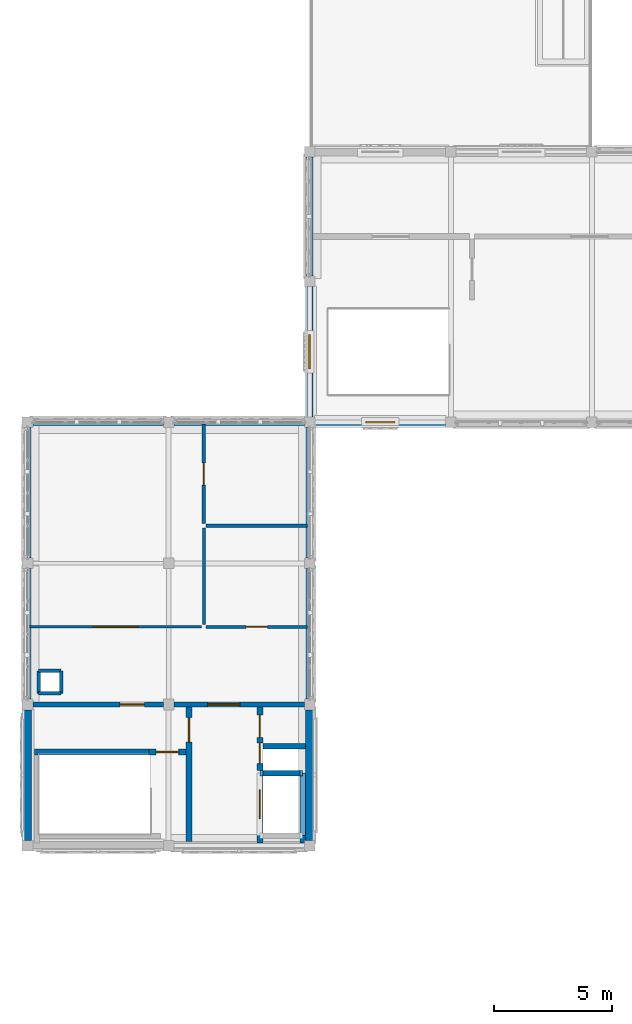
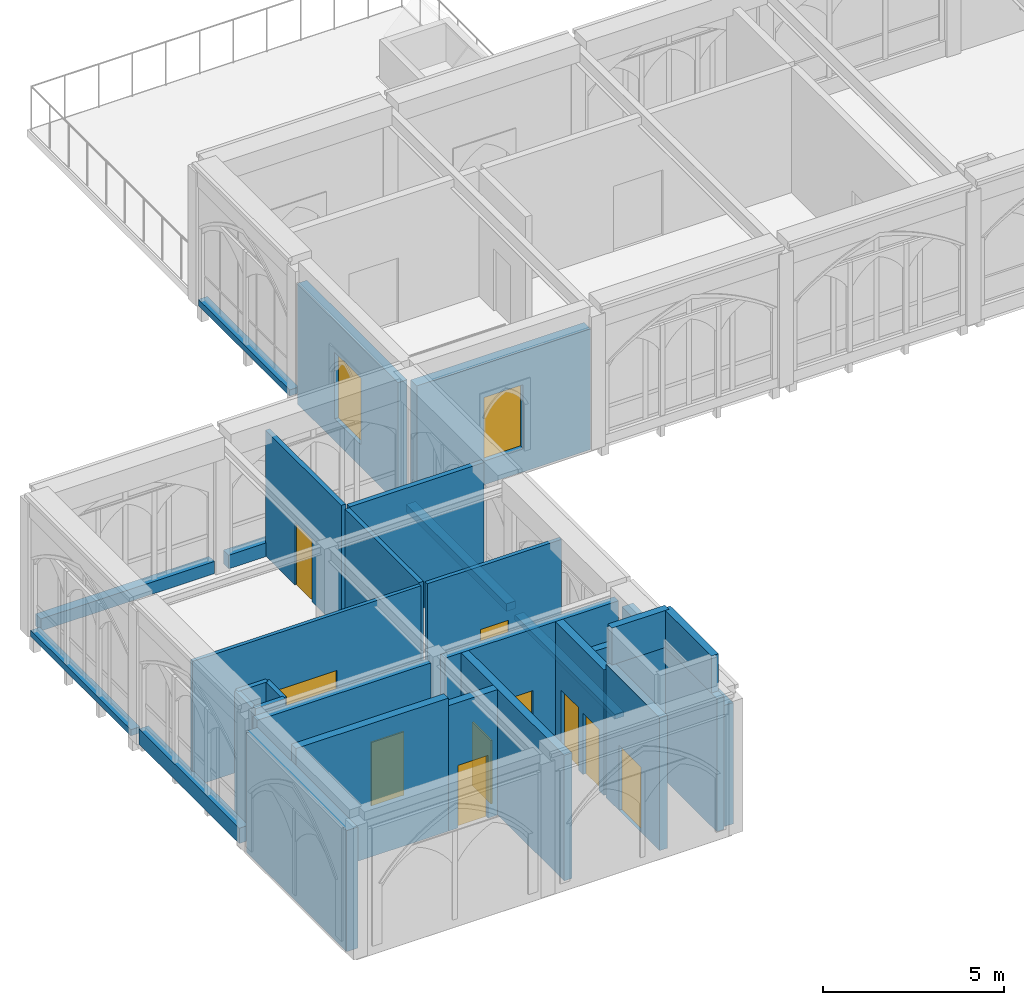
# One storey, part 40 of 59: 32 walls, 10 doors, 2 windows, 12 openings.
"""IFC4 building model written with IfcOpenShell, lengths in metres."""

from ifc_helpers import new_model, si_unit, direction, frame, frame_2d, origin, place, context, subcontext, project, spatial, rectangle, extrude, material, layer, layer_set, type_object, element, fill, save


model = new_model("IFC4")

# Units and contexts
model_context = context("Model", 3, precision=1e-05, world=origin(), true_north=direction((0.0, 1.0)))
body_context = subcontext(model_context, "Body", "Model", "MODEL_VIEW")
ifc_project = project(units=[si_unit("LENGTHUNIT", "METRE"), si_unit("AREAUNIT", "SQUARE_METRE"), si_unit("VOLUMEUNIT", "CUBIC_METRE"), si_unit("PLANEANGLEUNIT", "RADIAN"), si_unit("MASSUNIT", "GRAM", prefix="KILO")], contexts=[model_context])

# Site, building, storey
site_placement = place(None, origin())
site = spatial("IfcSite", under=ifc_project, at=site_placement, CompositionType="ELEMENT")
building_placement = place(site_placement, origin())
building = spatial("IfcBuilding", under=site, at=building_placement, Name="Cumevento Cable Car Station", CompositionType="ELEMENT")
storey_placement = place(building_placement, frame((0.0, 0.0, 18.0)))
storey = spatial("IfcBuildingStorey", under=building, at=storey_placement, Name="L05", CompositionType="ELEMENT", Elevation=18.0)

# Walls
ifc_material_1 = material(Name="Gnaisse Facoidal Stone Ashlar 85 MPa", Category="masonry")
ifc_layer_1 = layer(ifc_material_1, 0.294921875)
ifc_layer_set_1 = layer_set([ifc_layer_1], Name="Gnaisse Facoidal Stone Ashlar 85 MPa")
wall_type_1 = type_object("IfcWallType", Name="Exterior Envelope Wall EW-295 295", PredefinedType="SOLIDWALL", material=ifc_layer_set_1)
wall_1_placement = place(storey_placement, frame((10.22509765625, 45.0, 0.0), z_axis=(0.0, 0.0, 1.0), x_axis=(1.0, 0.0, 0.0)))
element("IfcWall", 1, at=wall_1_placement, inside=storey, type_object=wall_type_1, Name="Exterior Sill Curb Wall EW-295 L05 #389", PredefinedType="SOLIDWALL", context=body_context, shape_type="SweptSolid", body=[
    extrude(rectangle(XDim=5.5498046875, YDim=0.294921875, at=frame_2d((2.77490234375, 0.0))), origin(), (0.0, 0.0, 1.0), 0.409912109375),
])
wall_2_placement = place(storey_placement, frame((16.22509765625, 45.0, 0.0), z_axis=(0.0, 0.0, 1.0), x_axis=(1.0, 0.0, 0.0)))
element("IfcWall", 2, at=wall_2_placement, inside=storey, type_object=wall_type_1, Name="Exterior Sill Curb Wall EW-295 L05 #390", PredefinedType="SOLIDWALL", context=body_context, shape_type="SweptSolid", body=[
    extrude(rectangle(XDim=5.5498046875, YDim=0.294921875, at=frame_2d((2.77490234375, 0.0))), origin(), (0.0, 0.0, 1.0), 0.4599609375),
])
wall_3_placement = place(storey_placement, frame((10.0, 33.22509765625, 0.0), z_axis=(0.0, 0.0, 1.0), x_axis=(0.0, 1.0, 0.0)))
element("IfcWall", 3, at=wall_3_placement, inside=storey, type_object=wall_type_1, Name="Exterior Sill Curb Wall EW-295 L05 #391", PredefinedType="SOLIDWALL", context=body_context, shape_type="SweptSolid", body=[
    extrude(rectangle(XDim=5.5498046875, YDim=0.294921875, at=frame_2d((2.77490234375, 0.0))), origin(), (0.0, 0.0, 1.0), 0.52001953125),
])
wall_4_placement = place(storey_placement, frame((22.0, 38.77490234375, 0.0), z_axis=(0.0, 0.0, 1.0), x_axis=(0.0, -1.0, 0.0)))
element("IfcWall", 4, at=wall_4_placement, inside=storey, type_object=wall_type_1, Name="Exterior Sill Curb Wall EW-295 L05 #392", PredefinedType="SOLIDWALL", context=body_context, shape_type="SweptSolid", body=[
    extrude(rectangle(XDim=5.5498046875, YDim=0.294921875, at=frame_2d((2.77490234375, 0.0))), origin(), (0.0, 0.0, 1.0), 0.159912109375),
])
wall_5_placement = place(storey_placement, frame((10.0, 39.22509765625, 0.0), z_axis=(0.0, 0.0, 1.0), x_axis=(0.0, 1.0, 0.0)))
element("IfcWall", 5, at=wall_5_placement, inside=storey, type_object=wall_type_1, Name="Exterior Sill Curb Wall EW-295 L05 #393", PredefinedType="SOLIDWALL", context=body_context, shape_type="SweptSolid", body=[
    extrude(rectangle(XDim=5.5498046875, YDim=0.294921875, at=frame_2d((2.77490234375, 0.0))), origin(), (0.0, 0.0, 1.0), 0.2099609375),
])
wall_6_placement = place(storey_placement, frame((22.0, 44.77490234375, 0.0), z_axis=(0.0, 0.0, 1.0), x_axis=(0.0, -1.0, 0.0)))
element("IfcWall", 6, at=wall_6_placement, inside=storey, type_object=wall_type_1, Name="Exterior Sill Curb Wall EW-295 L05 #394", PredefinedType="SOLIDWALL", context=body_context, shape_type="SweptSolid", body=[
    extrude(rectangle(XDim=5.5498046875, YDim=0.294921875, at=frame_2d((2.77490234375, 0.0))), origin(), (0.0, 0.0, 1.0), 0.260009765625),
])

# Wall, opening, window
wall_7_placement = place(storey_placement, frame((22.0, 45.22509765625, 0.0), z_axis=(0.0, 0.0, 1.0), x_axis=(0.0, 1.0, 0.0)))
wall_7 = element("IfcWall", 7, at=wall_7_placement, inside=storey, type_object=wall_type_1, Name="Exterior Wall EW-295 L05 #405", PredefinedType="SOLIDWALL", context=body_context, shape_type="SweptSolid", body=[
    extrude(rectangle(XDim=5.5498046875, YDim=0.294921875, at=frame_2d((2.77490234375, 0.0))), origin(), (0.0, 0.0, 1.0), 4.093017578125),
])
opening_1_placement = place(wall_7_placement, frame((2.050048828125, 0.0, 0.75)))
opening_1 = element("IfcOpeningElement", 8, at=opening_1_placement, cuts=wall_7, Name="Opening WN-L05-103", PredefinedType="OPENING", context=body_context, shape_type="SweptSolid", body=[
    extrude(rectangle(XDim=1.449951171875, YDim=2.25, at=frame_2d((0.72509765625, 1.125))), frame((0.0, 0.157470703125, 0.0), z_axis=(0.0, -1.0, 0.0), x_axis=(1.0, 0.0, 0.0)), (0.0, 0.0, 1.0), 0.31494140625),
])
ifc_material_2 = material(Name="Anodised Bronze Aluminium & Laminated Solar Glass", Category="aluminium")
window_type_1 = type_object("IfcWindowType", Name="Lancet Window WN-07 1450x2250", PartitioningType="SINGLE_PANEL", PredefinedType="WINDOW", material=ifc_material_2)
window_1_placement = place(opening_1_placement, origin())
window_1 = element("IfcWindow", 9, at=window_1_placement, inside=storey, type_object=window_type_1, Name="Lancet Window WN-L05-103 (WN-07)", OverallHeight=2.25, OverallWidth=1.449951171875, PartitioningType="SINGLE_PANEL", PredefinedType="WINDOW", context=body_context, shape_type="SweptSolid", body=[
    extrude(rectangle(XDim=1.449951171875, YDim=2.25, at=frame_2d((0.72509765625, 1.125))), frame((0.0, 0.030029296875, 0.0), z_axis=(0.0, -1.0, 0.0), x_axis=(1.0, 0.0, 0.0)), (0.0, 0.0, 1.0), 0.06005859375),
])
fill(opening_1, window_1)

# Wall
wall_8_placement = place(storey_placement, frame((22.0, 51.22509765625, 0.0), z_axis=(0.0, 0.0, 1.0), x_axis=(0.0, 1.0, 0.0)))
element("IfcWall", 10, at=wall_8_placement, inside=storey, type_object=wall_type_1, Name="Exterior Sill Curb Wall EW-295 L05 #406", PredefinedType="SOLIDWALL", context=body_context, shape_type="SweptSolid", body=[
    extrude(rectangle(XDim=5.0498046875, YDim=0.294921875, at=frame_2d((2.52490234375, 0.0))), origin(), (0.0, 0.0, 1.0), 0.2099609375),
])

# Wall, opening, window
ifc_material_3 = material(Name="Concrete C40/50", Category="concrete")
ifc_layer_2 = layer(ifc_material_3, 0.340087890625)
ifc_layer_set_2 = layer_set([ifc_layer_2], Name="Concrete C40/50")
wall_type_2 = type_object("IfcWallType", Name="Exterior Envelope Wall EW-340 340", PredefinedType="SOLIDWALL", material=ifc_layer_set_2)
wall_9_placement = place(storey_placement, frame((27.77490234375, 45.0, 0.0), z_axis=(0.0, 0.0, 1.0), x_axis=(-1.0, 0.0, 0.0)))
wall_9 = element("IfcWall", 11, at=wall_9_placement, inside=storey, type_object=wall_type_2, Name="Exterior Wall EW-340 L05 #395", PredefinedType="SOLIDWALL", context=body_context, shape_type="SweptSolid", body=[
    extrude(rectangle(XDim=5.5498046875, YDim=0.340087890625, at=frame_2d((2.77490234375, 0.0))), origin(), (0.0, 0.0, 1.0), 4.093017578125),
])
opening_2_placement = place(wall_9_placement, frame((2.14990234375, 0.0, 0.800048828125)))
opening_2 = element("IfcOpeningElement", 12, at=opening_2_placement, cuts=wall_9, Name="Opening WN-L05-101", PredefinedType="OPENING", context=body_context, shape_type="SweptSolid", body=[
    extrude(rectangle(XDim=1.25, YDim=2.14990234375, at=frame_2d((0.625, 1.074951171875))), frame((0.0, 0.179931640625, 0.0), z_axis=(0.0, -1.0, 0.0), x_axis=(1.0, 0.0, 0.0)), (0.0, 0.0, 1.0), 0.360107421875),
])
ifc_material_4 = material(Name="Anodised Bronze Aluminium & Laminated Solar Glass", Category="aluminium")
window_type_2 = type_object("IfcWindowType", Name="Lancet Window WN-05 1250x2150", PartitioningType="SINGLE_PANEL", PredefinedType="WINDOW", material=ifc_material_4)
window_2_placement = place(opening_2_placement, origin())
window_2 = element("IfcWindow", 13, at=window_2_placement, inside=storey, type_object=window_type_2, Name="Lancet Window WN-L05-101 (WN-05)", OverallHeight=2.14990234375, OverallWidth=1.25, PartitioningType="SINGLE_PANEL", PredefinedType="WINDOW", context=body_context, shape_type="SweptSolid", body=[
    extrude(rectangle(XDim=1.25, YDim=2.14990234375, at=frame_2d((0.625, 1.074951171875))), frame((0.0, 0.030029296875, 0.0), z_axis=(0.0, -1.0, 0.0), x_axis=(1.0, 0.0, 0.0)), (0.0, 0.0, 1.0), 0.06005859375),
])
fill(opening_2, window_2)

# Walls
ifc_material_5 = material(Name="Concrete C40/50", Category="concrete")
ifc_layer_3 = layer(ifc_material_5, 0.35498046875)
ifc_layer_set_3 = layer_set([ifc_layer_3], Name="Concrete C40/50")
wall_type_3 = type_object("IfcWallType", Name="Exterior Envelope Wall EW-355 355", PredefinedType="SOLIDWALL", material=ifc_layer_set_3)
for number, where, z_axis, x_axis, name in (
    (14, (10.0, 27.22509765625, 0.0), (0.0, 0.0, 1.0), (0.0, 1.0, 0.0), "Exterior Wall EW-355 L05 #387"),
    (15, (22.0, 32.77490234375, 0.0), (0.0, 0.0, 1.0), (0.0, -1.0, 0.0), "Exterior Wall EW-355 L05 #388"),
):
    element("IfcWall", number, at=place(storey_placement, frame(where, z_axis=z_axis, x_axis=x_axis)), inside=storey, type_object=wall_type_3, Name=name, PredefinedType="SOLIDWALL", context=body_context, shape_type="SweptSolid", body=[
        extrude(rectangle(XDim=5.5498046875, YDim=0.35498046875, at=frame_2d((2.77490234375, 0.0))), origin(), (0.0, 0.0, 1.0), 4.093017578125),
    ])

# Wall, opening, door
ifc_material_6 = material(Name="Gypsum Board & Insulated Stud Partition", Category="gypsum")
ifc_layer_4 = layer(ifc_material_6, 0.114990234375)
ifc_layer_set_4 = layer_set([ifc_layer_4], Name="Gypsum Board & Insulated Stud Partition")
wall_type_4 = type_object("IfcWallType", Name="Interior Partition PT-115 115", PredefinedType="PARTITIONING", material=ifc_layer_set_4)
wall_10_placement = place(storey_placement, frame((10.10302734375, 36.300048828125, 0.0), z_axis=(0.0, 0.0, 1.0), x_axis=(1.0, 0.0, 0.0)))
wall_10 = element("IfcWall", 16, at=wall_10_placement, inside=storey, type_object=wall_type_4, Name="Interior Wall PT-115 L05 #734", PredefinedType="PARTITIONING", context=body_context, shape_type="SweptSolid", body=[
    extrude(rectangle(XDim=7.296875, YDim=0.114990234375, at=frame_2d((3.6484375, 0.0))), origin(), (0.0, 0.0, 1.0), 4.239990234375),
])
opening_3_placement = place(wall_10_placement, frame((2.6884765625, 0.0, 0.0)))
opening_3 = element("IfcOpeningElement", 17, at=opening_3_placement, cuts=wall_10, Name="Opening DR-L05-306", PredefinedType="OPENING", context=body_context, shape_type="SweptSolid", body=[
    extrude(rectangle(XDim=1.919921875, YDim=2.320068359375, at=frame_2d((0.9599609375, 1.16015625))), frame((0.0, 0.067626953125, 0.0), z_axis=(0.0, -1.0, 0.0), x_axis=(1.0, 0.0, 0.0)), (0.0, 0.0, 1.0), 0.135009765625),
])
ifc_material_7 = material(Name="Anodised Bronze Aluminium Glazed Door", Category="aluminium")
door_type_1 = type_object("IfcDoorType", Name="Interior Door ID-14 1920x2320", OperationType="NOTDEFINED", PredefinedType="DOOR", material=ifc_material_7)
door_1_placement = place(opening_3_placement, origin())
door_1 = element("IfcDoor", 18, at=door_1_placement, inside=storey, type_object=door_type_1, Name="Interior Door DR-L05-306 (ID-14)", OperationType="DOUBLE_DOOR_SINGLE_SWING", OverallHeight=2.320068359375, OverallWidth=1.919921875, PredefinedType="DOOR", context=body_context, shape_type="SweptSolid", body=[
    extrude(rectangle(XDim=1.919921875, YDim=2.320068359375, at=frame_2d((0.9599609375, 1.16015625))), frame((0.0, 0.02490234375, 0.0), z_axis=(0.0, -1.0, 0.0), x_axis=(1.0, 0.0, 0.0)), (0.0, 0.0, 1.0), 0.050048828125),
])
fill(opening_3, door_1)

ifc_material_8 = material(Name="Gypsum Board & Insulated Stud Partition", Category="gypsum")
ifc_layer_5 = layer(ifc_material_8, 0.125)
ifc_layer_set_5 = layer_set([ifc_layer_5], Name="Gypsum Board & Insulated Stud Partition")
wall_type_5 = type_object("IfcWallType", Name="Interior Partition PT-125 125", PredefinedType="PARTITIONING", material=ifc_layer_set_5)
wall_11_placement = place(storey_placement, frame((17.60009765625, 36.300048828125, 0.0), z_axis=(0.0, 0.0, 1.0), x_axis=(1.0, 0.0, 0.0)))
wall_11 = element("IfcWall", 19, at=wall_11_placement, inside=storey, type_object=wall_type_5, Name="Interior Wall PT-125 L05 #735", PredefinedType="PARTITIONING", context=body_context, shape_type="SweptSolid", body=[
    extrude(rectangle(XDim=4.2939453125, YDim=0.125, at=frame_2d((2.14697265625, 0.0))), origin(), (0.0, 0.0, 1.0), 4.239990234375),
])
opening_4_placement = place(wall_11_placement, frame((1.697021484375, 0.0, 0.0)))
opening_4 = element("IfcOpeningElement", 20, at=opening_4_placement, cuts=wall_11, Name="Opening DR-L05-307", PredefinedType="OPENING", context=body_context, shape_type="SweptSolid", body=[
    extrude(rectangle(XDim=0.89990234375, YDim=2.10009765625, at=frame_2d((0.449951171875, 1.050048828125))), frame((0.0, 0.072509765625, 0.0), z_axis=(0.0, -1.0, 0.0), x_axis=(1.0, 0.0, 0.0)), (0.0, 0.0, 1.0), 0.14501953125),
])
ifc_material_9 = material(Name="Hardwood Ipe Timber Door Leaf", Category="wood")
door_type_2 = type_object("IfcDoorType", Name="Interior Door ID-02 900x2100", OperationType="NOTDEFINED", PredefinedType="DOOR", material=ifc_material_9)
door_2_placement = place(opening_4_placement, origin())
door_2 = element("IfcDoor", 21, at=door_2_placement, inside=storey, type_object=door_type_2, Name="Interior Door DR-L05-307 (ID-02)", OperationType="SINGLE_SWING_RIGHT", OverallHeight=2.10009765625, OverallWidth=0.89990234375, PredefinedType="DOOR", context=body_context, shape_type="SweptSolid", body=[
    extrude(rectangle(XDim=0.89990234375, YDim=2.10009765625, at=frame_2d((0.449951171875, 1.050048828125))), frame((0.0, 0.02490234375, 0.0), z_axis=(0.0, -1.0, 0.0), x_axis=(1.0, 0.0, 0.0)), (0.0, 0.0, 1.0), 0.050048828125),
])
fill(opening_4, door_2)

# Walls
ifc_material_10 = material(Name="Gypsum Board & Insulated Stud Partition", Category="gypsum")
ifc_layer_6 = layer(ifc_material_10, 0.135009765625)
ifc_layer_set_6 = layer_set([ifc_layer_6], Name="Gypsum Board & Insulated Stud Partition")
wall_type_6 = type_object("IfcWallType", Name="Interior Partition PT-135 135", PredefinedType="PARTITIONING", material=ifc_layer_set_6)
wall_12_placement = place(storey_placement, frame((17.5, 36.39990234375, 0.0), z_axis=(0.0, 0.0, 1.0), x_axis=(0.0, 1.0, 0.0)))
element("IfcWall", 22, at=wall_12_placement, inside=storey, type_object=wall_type_6, Name="Interior Wall PT-135 L05 #736", PredefinedType="PARTITIONING", context=body_context, shape_type="SweptSolid", body=[
    extrude(rectangle(XDim=4.10009765625, YDim=0.135009765625, at=frame_2d((2.050048828125, 0.0))), origin(), (0.0, 0.0, 1.0), 4.239990234375),
])
ifc_material_11 = material(Name="Gypsum Board & Insulated Stud Partition", Category="gypsum")
ifc_layer_7 = layer(ifc_material_11, 0.14501953125)
ifc_layer_set_7 = layer_set([ifc_layer_7], Name="Gypsum Board & Insulated Stud Partition")
wall_type_7 = type_object("IfcWallType", Name="Interior Partition PT-145 145", PredefinedType="PARTITIONING", material=ifc_layer_set_7)
for number, where, z_axis, x_axis, name in (
    (23, (10.469970703125, 33.469970703125, 0.0), (0.0, 0.0, 1.0), (1.0, 0.0, 0.0), "Interior Wall PT-145 L05 #45"),
    (24, (11.429931640625, 33.469970703125, 0.0), (0.0, 0.0, 1.0), (0.0, 1.0, 0.0), "Interior Wall PT-145 L05 #46"),
    (25, (11.429931640625, 34.429931640625, 0.0), (0.0, 0.0, 1.0), (-1.0, 0.0, 0.0), "Interior Wall PT-145 L05 #47"),
    (26, (10.469970703125, 34.429931640625, 0.0), (0.0, 0.0, 1.0), (0.0, -1.0, 0.0), "Interior Wall PT-145 L05 #48"),
):
    element("IfcWall", number, at=place(storey_placement, frame(where, z_axis=z_axis, x_axis=x_axis)), inside=storey, type_object=wall_type_7, Name=name, PredefinedType="PARTITIONING", context=body_context, shape_type="SweptSolid", body=[
        extrude(rectangle(XDim=0.9599609375, YDim=0.14501953125, at=frame_2d((0.47998046875, 0.0))), origin(), (0.0, 0.0, 1.0), 4.239990234375),
    ])

# Wall, opening, door
wall_13_placement = place(storey_placement, frame((17.5, 40.699951171875, 0.0), z_axis=(0.0, 0.0, 1.0), x_axis=(0.0, 1.0, 0.0)))
wall_13 = element("IfcWall", 27, at=wall_13_placement, inside=storey, type_object=wall_type_7, Name="Interior Wall PT-145 L05 #737", PredefinedType="PARTITIONING", context=body_context, shape_type="SweptSolid", body=[
    extrude(rectangle(XDim=4.199951171875, YDim=0.14501953125, at=frame_2d((2.10009765625, 0.0))), origin(), (0.0, 0.0, 1.0), 4.239990234375),
])
opening_5_placement = place(wall_13_placement, frame((1.6298828125, 0.0, 0.0)))
opening_5 = element("IfcOpeningElement", 28, at=opening_5_placement, cuts=wall_13, Name="Opening DR-L05-315", PredefinedType="OPENING", context=body_context, shape_type="SweptSolid", body=[
    extrude(rectangle(XDim=0.93994140625, YDim=2.10009765625, at=frame_2d((0.469970703125, 1.050048828125))), frame((0.0, 0.08251953125, 0.0), z_axis=(0.0, -1.0, 0.0), x_axis=(1.0, 0.0, 0.0)), (0.0, 0.0, 1.0), 0.1650390625),
])
ifc_material_12 = material(Name="Galvanised Painted Steel Fire Door", Category="steel")
door_type_3 = type_object("IfcDoorType", Name="Interior Door FD-08 940x2100", OperationType="NOTDEFINED", PredefinedType="DOOR", material=ifc_material_12)
door_3_placement = place(opening_5_placement, origin())
door_3 = element("IfcDoor", 29, at=door_3_placement, inside=storey, type_object=door_type_3, Name="Interior Door DR-L05-315 (FD-08)", OperationType="SINGLE_SWING_RIGHT", OverallHeight=2.10009765625, OverallWidth=0.93994140625, PredefinedType="DOOR", context=body_context, shape_type="SweptSolid", body=[
    extrude(rectangle(XDim=0.93994140625, YDim=2.10009765625, at=frame_2d((0.469970703125, 1.050048828125))), frame((0.0, 0.02490234375, 0.0), z_axis=(0.0, -1.0, 0.0), x_axis=(1.0, 0.0, 0.0)), (0.0, 0.0, 1.0), 0.050048828125),
])
fill(opening_5, door_3)

# Walls
ifc_material_13 = material(Name="Gypsum Board & Insulated Stud Partition", Category="gypsum")
ifc_layer_8 = layer(ifc_material_13, 0.155029296875)
ifc_layer_set_8 = layer_set([ifc_layer_8], Name="Gypsum Board & Insulated Stud Partition")
wall_type_8 = type_object("IfcWallType", Name="Interior Partition PT-155 155", PredefinedType="PARTITIONING", material=ifc_layer_set_8)
wall_14_placement = place(storey_placement, frame((17.60009765625, 40.60009765625, 0.0), z_axis=(0.0, 0.0, 1.0), x_axis=(1.0, 0.0, 0.0)))
element("IfcWall", 30, at=wall_14_placement, inside=storey, type_object=wall_type_8, Name="Interior Wall PT-155 L05 #738", PredefinedType="PARTITIONING", context=body_context, shape_type="SweptSolid", body=[
    extrude(rectangle(XDim=4.287841796875, YDim=0.155029296875, at=frame_2d((2.14404296875, 0.0))), origin(), (0.0, 0.0, 1.0), 4.239990234375),
])
ifc_material_14 = material(Name="Concrete C40/50", Category="concrete")
ifc_layer_9 = layer(ifc_material_14, 0.22998046875)
ifc_layer_set_9 = layer_set([ifc_layer_9], Name="Concrete C40/50")
wall_type_9 = type_object("IfcWallType", Name="Interior Shear Wall CW-230 230", PredefinedType="SHEAR", material=ifc_layer_set_9)
wall_15_placement = place(storey_placement, frame((21.699951171875, 27.419921875, 4.5), z_axis=(0.0, 0.0, 1.0), x_axis=(0.0, 1.0, 0.0)))
element("IfcWall", 31, at=wall_15_placement, inside=storey, type_object=wall_type_9, Name="Interior Wall CW-230 L05 #268", PredefinedType="SHEAR", context=body_context, shape_type="SweptSolid", body=[
    extrude(rectangle(XDim=2.66015625, YDim=0.22998046875, at=frame_2d((1.330078125, 0.0))), origin(), (0.0, 0.0, 1.0), 1.25),
])
wall_16_placement = place(storey_placement, frame((21.699951171875, 30.080078125, 4.5), z_axis=(0.0, 0.0, 1.0), x_axis=(-1.0, 0.0, 0.0)))
element("IfcWall", 32, at=wall_16_placement, inside=storey, type_object=wall_type_9, Name="Interior Wall CW-230 L05 #269", PredefinedType="SHEAR", context=body_context, shape_type="SweptSolid", body=[
    extrude(rectangle(XDim=1.820068359375, YDim=0.22998046875, at=frame_2d((0.91015625, 0.0))), origin(), (0.0, 0.0, 1.0), 1.25),
])

# Wall, opening, door
wall_17_placement = place(storey_placement, frame((10.22509765625, 33.0, 0.0), z_axis=(0.0, 0.0, 1.0), x_axis=(1.0, 0.0, 0.0)))
wall_17 = element("IfcWall", 33, at=wall_17_placement, inside=storey, type_object=wall_type_9, Name="Interior Wall CW-230 L05 #325", PredefinedType="SHEAR", context=body_context, shape_type="SweptSolid", body=[
    extrude(rectangle(XDim=5.5498046875, YDim=0.22998046875, at=frame_2d((2.77490234375, 0.0))), origin(), (0.0, 0.0, 1.0), 4.239990234375),
])
opening_6_placement = place(wall_17_placement, frame((3.705078125, 0.0, 0.0)))
opening_6 = element("IfcOpeningElement", 34, at=opening_6_placement, cuts=wall_17, Name="Opening DR-L05-093", PredefinedType="OPENING", context=body_context, shape_type="SweptSolid", body=[
    extrude(rectangle(XDim=1.0400390625, YDim=2.139892578125, at=frame_2d((0.52001953125, 1.06982421875))), frame((0.0, 0.125, 0.0), z_axis=(0.0, -1.0, 0.0), x_axis=(1.0, 0.0, 0.0)), (0.0, 0.0, 1.0), 0.25),
])
ifc_material_15 = material(Name="Galvanised Painted Steel Fire Door", Category="steel")
door_type_4 = type_object("IfcDoorType", Name="Interior Door FD-02 1040x2140", OperationType="NOTDEFINED", PredefinedType="DOOR", material=ifc_material_15)
door_4_placement = place(opening_6_placement, origin())
door_4 = element("IfcDoor", 35, at=door_4_placement, inside=storey, type_object=door_type_4, Name="Core CORE3 N_vest Fire Door L05", OperationType="SINGLE_SWING_LEFT", OverallHeight=2.139892578125, OverallWidth=1.0400390625, PredefinedType="DOOR", context=body_context, shape_type="SweptSolid", body=[
    extrude(rectangle(XDim=1.0400390625, YDim=2.139892578125, at=frame_2d((0.52001953125, 1.06982421875))), frame((0.0, 0.02490234375, 0.0), z_axis=(0.0, -1.0, 0.0), x_axis=(1.0, 0.0, 0.0)), (0.0, 0.0, 1.0), 0.050048828125),
])
fill(opening_6, door_4)

wall_18_placement = place(storey_placement, frame((16.22509765625, 33.0, 0.0), z_axis=(0.0, 0.0, 1.0), x_axis=(1.0, 0.0, 0.0)))
wall_18 = element("IfcWall", 36, at=wall_18_placement, inside=storey, type_object=wall_type_9, Name="Interior Wall CW-230 L05 #326", PredefinedType="SHEAR", context=body_context, shape_type="SweptSolid", body=[
    extrude(rectangle(XDim=5.5498046875, YDim=0.22998046875, at=frame_2d((2.77490234375, 0.0))), origin(), (0.0, 0.0, 1.0), 4.239990234375),
])
opening_7_placement = place(wall_18_placement, frame((1.43505859375, 0.0, 0.0)))
opening_7 = element("IfcOpeningElement", 37, at=opening_7_placement, cuts=wall_18, Name="Opening DR-L05-094", PredefinedType="OPENING", context=body_context, shape_type="SweptSolid", body=[
    extrude(rectangle(XDim=1.3798828125, YDim=2.159912109375, at=frame_2d((0.68994140625, 1.080078125))), frame((0.0, 0.125, 0.0), z_axis=(0.0, -1.0, 0.0), x_axis=(1.0, 0.0, 0.0)), (0.0, 0.0, 1.0), 0.25),
])
ifc_material_16 = material(Name="Galvanised Painted Steel Fire Door", Category="steel")
door_type_5 = type_object("IfcDoorType", Name="Interior Door FD-04 1380x2160", OperationType="NOTDEFINED", PredefinedType="DOOR", material=ifc_material_16)
door_5_placement = place(opening_7_placement, origin())
door_5 = element("IfcDoor", 38, at=door_5_placement, inside=storey, type_object=door_type_5, Name="Core CORE3 N_lobby Fire Door L05", OperationType="DOUBLE_DOOR_SINGLE_SWING", OverallHeight=2.159912109375, OverallWidth=1.3798828125, PredefinedType="DOOR", context=body_context, shape_type="SweptSolid", body=[
    extrude(rectangle(XDim=1.3798828125, YDim=2.159912109375, at=frame_2d((0.68994140625, 1.080078125))), frame((0.0, 0.02490234375, 0.0), z_axis=(0.0, -1.0, 0.0), x_axis=(1.0, 0.0, 0.0)), (0.0, 0.0, 1.0), 0.050048828125),
])
fill(opening_7, door_5)

# Walls
wall_19_placement = place(storey_placement, frame((21.699951171875, 27.114990234375, 0.0), z_axis=(0.0, 0.0, 1.0), x_axis=(0.0, 1.0, 0.0)))
element("IfcWall", 39, at=wall_19_placement, inside=storey, type_object=wall_type_9, Name="Interior Wall CW-230 L05 #334", PredefinedType="SHEAR", context=body_context, shape_type="SweptSolid", body=[
    extrude(rectangle(XDim=2.965087890625, YDim=0.22998046875, at=frame_2d((1.482421875, 0.0))), origin(), (0.0, 0.0, 1.0), 4.5),
])
wall_20_placement = place(storey_placement, frame((20.0048828125, 30.080078125, 0.0), z_axis=(0.0, 0.0, 1.0), x_axis=(1.0, 0.0, 0.0)))
element("IfcWall", 40, at=wall_20_placement, inside=storey, type_object=wall_type_9, Name="Interior Wall CW-230 L05 #335", PredefinedType="SHEAR", context=body_context, shape_type="SweptSolid", body=[
    extrude(rectangle(XDim=1.580078125, YDim=0.22998046875, at=frame_2d((0.7900390625, 0.0))), origin(), (0.0, 0.0, 1.0), 4.5),
])
wall_21_placement = place(storey_placement, frame((20.0048828125, 31.219970703125, 0.0), z_axis=(0.0, 0.0, 1.0), x_axis=(1.0, 0.0, 0.0)))
element("IfcWall", 41, at=wall_21_placement, inside=storey, type_object=wall_type_9, Name="Interior Wall CW-230 L05 #337", PredefinedType="SHEAR", context=body_context, shape_type="SweptSolid", body=[
    extrude(rectangle(XDim=1.820068359375, YDim=0.22998046875, at=frame_2d((0.91015625, 0.0))), origin(), (0.0, 0.0, 1.0), 4.239990234375),
])
ifc_material_17 = material(Name="Concrete C40/50", Category="concrete")
ifc_layer_10 = layer(ifc_material_17, 0.25)
ifc_layer_set_10 = layer_set([ifc_layer_10], Name="Concrete C40/50")
wall_type_10 = type_object("IfcWallType", Name="Interior Shear Wall CW-250 250", PredefinedType="SHEAR", material=ifc_layer_set_10)
wall_22_placement = place(storey_placement, frame((10.2900390625, 30.97509765625, 0.0), z_axis=(0.0, 0.0, 1.0), x_axis=(1.0, 0.0, 0.0)))
element("IfcWall", 42, at=wall_22_placement, inside=storey, type_object=wall_type_10, Name="Interior Wall CW-250 L05 #329", PredefinedType="SHEAR", context=body_context, shape_type="SweptSolid", body=[
    extrude(rectangle(XDim=4.869873046875, YDim=0.25, at=frame_2d((2.43505859375, 0.0))), origin(), (0.0, 0.0, 1.0), 4.5),
])

# Wall, opening, door
wall_23_placement = place(storey_placement, frame((15.159912109375, 30.97509765625, 0.0), z_axis=(0.0, 0.0, 1.0), x_axis=(1.0, 0.0, 0.0)))
wall_23 = element("IfcWall", 43, at=wall_23_placement, inside=storey, type_object=wall_type_10, Name="Interior Wall CW-250 L05 #330", PredefinedType="SHEAR", context=body_context, shape_type="SweptSolid", body=[
    extrude(rectangle(XDim=1.580078125, YDim=0.25, at=frame_2d((0.7900390625, 0.0))), origin(), (0.0, 0.0, 1.0), 4.239990234375),
])
opening_8_placement = place(wall_23_placement, frame((0.31005859375, 0.0, 0.0)))
opening_8 = element("IfcOpeningElement", 44, at=opening_8_placement, cuts=wall_23, Name="Opening DR-L05-095", PredefinedType="OPENING", context=body_context, shape_type="SweptSolid", body=[
    extrude(rectangle(XDim=0.9599609375, YDim=2.1201171875, at=frame_2d((0.47998046875, 1.06005859375))), frame((0.0, 0.135009765625, 0.0), z_axis=(0.0, -1.0, 0.0), x_axis=(1.0, 0.0, 0.0)), (0.0, 0.0, 1.0), 0.27001953125),
])
ifc_material_18 = material(Name="Galvanised Painted Steel Fire Door", Category="steel")
door_type_6 = type_object("IfcDoorType", Name="Interior Door FD-01 960x2120", OperationType="NOTDEFINED", PredefinedType="DOOR", material=ifc_material_18)
door_6_placement = place(opening_8_placement, origin())
door_6 = element("IfcDoor", 45, at=door_6_placement, inside=storey, type_object=door_type_6, Name="Stair ST-03 Enclosure Door L05", OperationType="SINGLE_SWING_RIGHT", OverallHeight=2.1201171875, OverallWidth=0.9599609375, PredefinedType="DOOR", context=body_context, shape_type="SweptSolid", body=[
    extrude(rectangle(XDim=0.9599609375, YDim=2.1201171875, at=frame_2d((0.47998046875, 1.06005859375))), frame((0.0, 0.02490234375, 0.0), z_axis=(0.0, -1.0, 0.0), x_axis=(1.0, 0.0, 0.0)), (0.0, 0.0, 1.0), 0.050048828125),
])
fill(opening_8, door_6)

wall_24_placement = place(storey_placement, frame((16.864990234375, 27.175048828125, 0.0), z_axis=(0.0, 0.0, 1.0), x_axis=(0.0, 1.0, 0.0)))
wall_24 = element("IfcWall", 46, at=wall_24_placement, inside=storey, type_object=wall_type_10, Name="Interior Wall CW-250 L05 #331", PredefinedType="SHEAR", context=body_context, shape_type="SweptSolid", body=[
    extrude(rectangle(XDim=5.7099609375, YDim=0.25, at=frame_2d((2.85498046875, 0.0))), origin(), (0.0, 0.0, 1.0), 4.239990234375),
])
opening_9_placement = place(wall_24_placement, frame((4.22509765625, 0.0, 0.0)))
opening_9 = element("IfcOpeningElement", 47, at=opening_9_placement, cuts=wall_24, Name="Opening DR-L05-096", PredefinedType="OPENING", context=body_context, shape_type="SweptSolid", body=[
    extrude(rectangle(XDim=1.0400390625, YDim=2.139892578125, at=frame_2d((0.52001953125, 1.06982421875))), frame((0.0, 0.135009765625, 0.0), z_axis=(0.0, -1.0, 0.0), x_axis=(1.0, 0.0, 0.0)), (0.0, 0.0, 1.0), 0.27001953125),
])
door_7_placement = place(opening_9_placement, origin())
door_7 = element("IfcDoor", 48, at=door_7_placement, inside=storey, type_object=door_type_4, Name="Lobby Vestibule Door CORE3 L05", OperationType="SINGLE_SWING_LEFT", OverallHeight=2.139892578125, OverallWidth=1.0400390625, PredefinedType="DOOR", context=body_context, shape_type="SweptSolid", body=[
    extrude(rectangle(XDim=1.0400390625, YDim=2.139892578125, at=frame_2d((0.52001953125, 1.06982421875))), frame((0.0, 0.02490234375, 0.0), z_axis=(0.0, -1.0, 0.0), x_axis=(1.0, 0.0, 0.0)), (0.0, 0.0, 1.0), 0.050048828125),
])
fill(opening_9, door_7)

wall_25_placement = place(storey_placement, frame((19.8798828125, 27.114990234375, 0.0), z_axis=(0.0, 0.0, 1.0), x_axis=(0.0, 1.0, 0.0)))
wall_25 = element("IfcWall", 49, at=wall_25_placement, inside=storey, type_object=wall_type_10, Name="Interior Wall CW-250 L05 #332", PredefinedType="SHEAR", context=body_context, shape_type="SweptSolid", body=[
    extrude(rectangle(XDim=2.965087890625, YDim=0.25, at=frame_2d((1.482421875, 0.0))), origin(), (0.0, 0.0, 1.0), 4.5),
])
opening_10_placement = place(wall_25_placement, frame((1.014892578125, 0.0, 0.0)))
opening_10 = element("IfcOpeningElement", 50, at=opening_10_placement, cuts=wall_25, Name="Opening LD-LF03-L05", PredefinedType="OPENING", context=body_context, shape_type="SweptSolid", body=[
    extrude(rectangle(XDim=1.239990234375, YDim=2.199951171875, at=frame_2d((0.6201171875, 1.10009765625))), frame((0.0, 0.135009765625, 0.0), z_axis=(0.0, -1.0, 0.0), x_axis=(1.0, 0.0, 0.0)), (0.0, 0.0, 1.0), 0.27001953125),
])
ifc_material_19 = material(Name="Brushed Stainless Steel Lift Door", Category="steel")
door_type_7 = type_object("IfcDoorType", Name="Interior Door LD-03 1240x2200", OperationType="NOTDEFINED", PredefinedType="DOOR", material=ifc_material_19)
door_8_placement = place(opening_10_placement, origin())
door_8 = element("IfcDoor", 51, at=door_8_placement, inside=storey, type_object=door_type_7, Name="Lift Landing Door LD-LF03-L05", OperationType="SLIDING_TO_LEFT", OverallHeight=2.199951171875, OverallWidth=1.239990234375, PredefinedType="DOOR", context=body_context, shape_type="SweptSolid", body=[
    extrude(rectangle(XDim=1.239990234375, YDim=2.199951171875, at=frame_2d((0.6201171875, 1.10009765625))), frame((0.0, 0.02490234375, 0.0), z_axis=(0.0, -1.0, 0.0), x_axis=(1.0, 0.0, 0.0)), (0.0, 0.0, 1.0), 0.050048828125),
])
fill(opening_10, door_8)

# Wall, openings, doors
wall_26_placement = place(storey_placement, frame((19.8798828125, 30.199951171875, 0.0), z_axis=(0.0, 0.0, 1.0), x_axis=(0.0, 1.0, 0.0)))
wall_26 = element("IfcWall", 52, at=wall_26_placement, inside=storey, type_object=wall_type_10, Name="Interior Wall CW-250 L05 #336", PredefinedType="SHEAR", context=body_context, shape_type="SweptSolid", body=[
    extrude(rectangle(XDim=2.68505859375, YDim=0.25, at=frame_2d((1.342529296875, 0.0))), origin(), (0.0, 0.0, 1.0), 4.239990234375),
])
opening_11_placement = place(wall_26_placement, frame((0.280029296875, 0.0, 0.0)))
opening_11 = element("IfcOpeningElement", 53, at=opening_11_placement, cuts=wall_26, Name="Opening DR-L05-098", PredefinedType="OPENING", context=body_context, shape_type="SweptSolid", body=[
    extrude(rectangle(XDim=0.8798828125, YDim=2.080078125, at=frame_2d((0.43994140625, 1.0400390625))), frame((0.0, 0.135009765625, 0.0), z_axis=(0.0, -1.0, 0.0), x_axis=(1.0, 0.0, 0.0)), (0.0, 0.0, 1.0), 0.27001953125),
])
opening_12_placement = place(wall_26_placement, frame((1.39990234375, 0.0, 0.0)))
opening_12 = element("IfcOpeningElement", 54, at=opening_12_placement, cuts=wall_26, Name="Opening DR-L05-099", PredefinedType="OPENING", context=body_context, shape_type="SweptSolid", body=[
    extrude(rectangle(XDim=0.9599609375, YDim=2.1201171875, at=frame_2d((0.47998046875, 1.06005859375))), frame((0.0, 0.135009765625, 0.0), z_axis=(0.0, -1.0, 0.0), x_axis=(1.0, 0.0, 0.0)), (0.0, 0.0, 1.0), 0.27001953125),
])
door_9_placement = place(opening_12_placement, origin())
door_9 = element("IfcDoor", 55, at=door_9_placement, inside=storey, type_object=door_type_6, Name="East Vestibule Lobby Door CORE3 L05", OperationType="SINGLE_SWING_LEFT", OverallHeight=2.1201171875, OverallWidth=0.9599609375, PredefinedType="DOOR", context=body_context, shape_type="SweptSolid", body=[
    extrude(rectangle(XDim=0.9599609375, YDim=2.1201171875, at=frame_2d((0.47998046875, 1.06005859375))), frame((0.0, 0.02490234375, 0.0), z_axis=(0.0, -1.0, 0.0), x_axis=(1.0, 0.0, 0.0)), (0.0, 0.0, 1.0), 0.050048828125),
])
fill(opening_12, door_9)
ifc_material_20 = material(Name="Galvanised Painted Steel Fire Door", Category="steel")
door_type_8 = type_object("IfcDoorType", Name="Interior Door FD-07 880x2080", OperationType="NOTDEFINED", PredefinedType="DOOR", material=ifc_material_20)
door_10_placement = place(opening_11_placement, origin())
door_10 = element("IfcDoor", 56, at=door_10_placement, inside=storey, type_object=door_type_8, Name="MEP Riser Access Door CORE3 L05", OperationType="SINGLE_SWING_RIGHT", OverallHeight=2.080078125, OverallWidth=0.8798828125, PredefinedType="DOOR", context=body_context, shape_type="SweptSolid", body=[
    extrude(rectangle(XDim=0.8798828125, YDim=2.080078125, at=frame_2d((0.43994140625, 1.0400390625))), frame((0.0, 0.02490234375, 0.0), z_axis=(0.0, -1.0, 0.0), x_axis=(1.0, 0.0, 0.0)), (0.0, 0.0, 1.0), 0.050048828125),
])
fill(opening_11, door_10)

save(model, "model.ifc")
